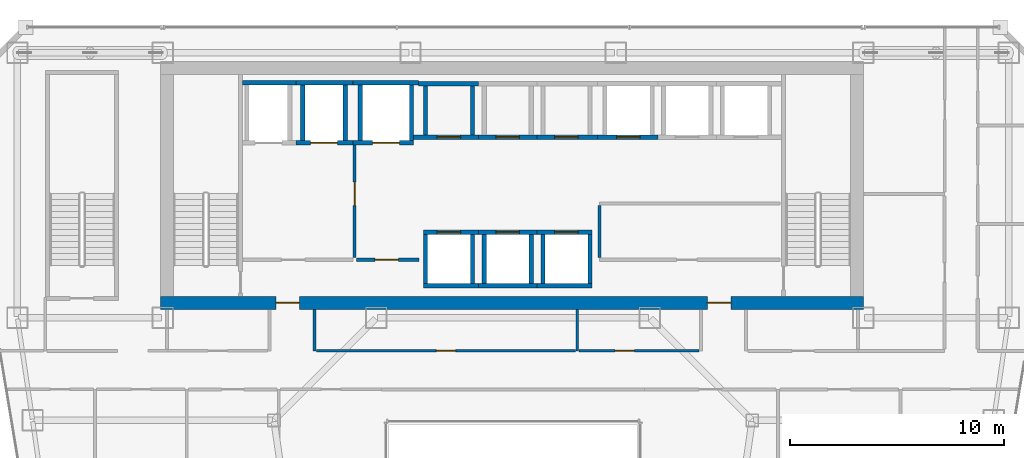
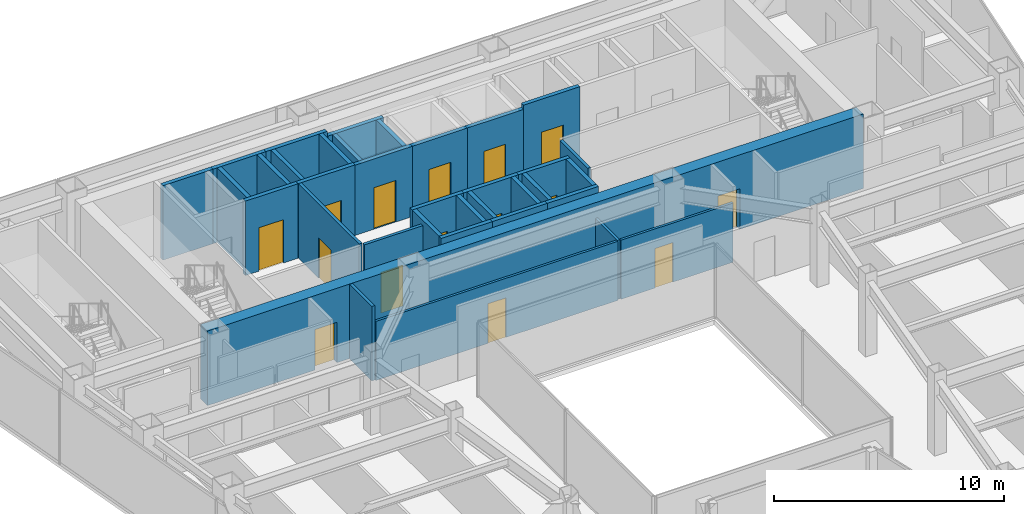
# One storey, part 31 of 36: 36 walls, 15 doors, 15 openings.
"""IFC4 building model written with IfcOpenShell, lengths in metres."""

from ifc_helpers import new_model, si_unit, direction, frame, frame_2d, origin, place, context, subcontext, project, spatial, rectangle, extrude, material, layer, layer_set, type_object, element, fill, save


model = new_model("IFC4")

# Units and contexts
model_context = context("Model", 3, precision=1e-05, world=origin(), true_north=direction((0.0, 1.0)))
body_context = subcontext(model_context, "Body", "Model", "MODEL_VIEW")
ifc_project = project(units=[si_unit("LENGTHUNIT", "METRE"), si_unit("AREAUNIT", "SQUARE_METRE"), si_unit("VOLUMEUNIT", "CUBIC_METRE"), si_unit("PLANEANGLEUNIT", "RADIAN"), si_unit("MASSUNIT", "GRAM", prefix="KILO")], contexts=[model_context])

# Site, building, storey
site_placement = place(None, origin())
site = spatial("IfcSite", under=ifc_project, at=site_placement, CompositionType="ELEMENT")
building_placement = place(site_placement, origin())
building = spatial("IfcBuilding", under=site, at=building_placement, Name="Saevonmaru Cultural Tower", CompositionType="ELEMENT")
storey_placement = place(building_placement, frame((0.0, 0.0, 119.199951171875)))
storey = spatial("IfcBuildingStorey", under=building, at=storey_placement, Name="L25", CompositionType="ELEMENT", Elevation=119.199951171875)

# Wall, openings, doors
ifc_material_1 = material(Name="Concrete C60/75", Category="concrete")
ifc_layer_1 = layer(ifc_material_1, 0.60009765625, Name="Concrete C60/75")
ifc_layer_set_1 = layer_set([ifc_layer_1], Name="Concrete C60/75")
wall_type_1 = type_object("IfcWallType", Name="WL-CORE-600", PredefinedType="SHEAR", material=ifc_layer_set_1)
wall_1_placement = place(storey_placement, frame((13.5, 43.10009765625, 0.0), z_axis=(0.0, 0.0, 1.0), x_axis=(1.0, 0.0, 0.0)))
wall_1 = element("IfcWall", 1, at=wall_1_placement, inside=storey, type_object=wall_type_1, Name="L25 Tower RC core shear wall S", PredefinedType="SHEAR", context=body_context, shape_type="SweptSolid", body=[
    extrude(rectangle(XDim=32.89990234375, YDim=0.60009765625, at=frame_2d((16.449951171875, 0.0))), origin(), (0.0, 0.0, 1.0), 3.949951171875),
])
opening_1_placement = place(wall_1_placement, frame((5.39990234375, 0.0, 0.0)))
opening_1 = element("IfcOpeningElement", 2, at=opening_1_placement, cuts=wall_1, Name="Opening FD-2", PredefinedType="OPENING", context=body_context, shape_type="SweptSolid", body=[
    extrude(rectangle(XDim=1.10009765625, YDim=2.14990234375, at=frame_2d((0.550048828125, 1.074951171875))), frame((0.0, 0.31005859375, 0.0), z_axis=(0.0, -1.0, 0.0), x_axis=(1.0, 0.0, 0.0)), (0.0, 0.0, 1.0), 0.6201171875),
])
opening_2_placement = place(wall_1_placement, frame((25.60009765625, 0.0, 0.0)))
opening_2 = element("IfcOpeningElement", 3, at=opening_2_placement, cuts=wall_1, Name="Opening FD-2", PredefinedType="OPENING", context=body_context, shape_type="SweptSolid", body=[
    extrude(rectangle(XDim=1.10009765625, YDim=2.14990234375, at=frame_2d((0.550048828125, 1.074951171875))), frame((0.0, 0.31005859375, 0.0), z_axis=(0.0, -1.0, 0.0), x_axis=(1.0, 0.0, 0.0)), (0.0, 0.0, 1.0), 0.6201171875),
])
ifc_material_2 = material(Name="Satin Bronze Anodised Aluminium", Category="aluminium")
door_type_1 = type_object("IfcDoorType", Name="DR-FD60-1100", OperationType="SINGLE_SWING_LEFT", PredefinedType="DOOR", material=ifc_material_2)
door_1_placement = place(opening_1_placement, origin())
door_1 = element("IfcDoor", 4, at=door_1_placement, inside=storey, type_object=door_type_1, Name="L25 Core West Lobby Fire Door", OperationType="SINGLE_SWING_LEFT", OverallHeight=2.14990234375, OverallWidth=1.10009765625, PredefinedType="DOOR", context=body_context, shape_type="SweptSolid", body=[
    extrude(rectangle(XDim=1.10009765625, YDim=2.14990234375, at=frame_2d((0.550048828125, 1.074951171875))), frame((0.0, 0.02490234375, 0.0), z_axis=(0.0, -1.0, 0.0), x_axis=(1.0, 0.0, 0.0)), (0.0, 0.0, 1.0), 0.050048828125),
])
fill(opening_1, door_1)
door_2_placement = place(opening_2_placement, origin())
door_2 = element("IfcDoor", 5, at=door_2_placement, inside=storey, type_object=door_type_1, Name="L25 Core East Lobby Fire Door", OperationType="SINGLE_SWING_LEFT", OverallHeight=2.14990234375, OverallWidth=1.10009765625, PredefinedType="DOOR", context=body_context, shape_type="SweptSolid", body=[
    extrude(rectangle(XDim=1.10009765625, YDim=2.14990234375, at=frame_2d((0.550048828125, 1.074951171875))), frame((0.0, 0.02490234375, 0.0), z_axis=(0.0, -1.0, 0.0), x_axis=(1.0, 0.0, 0.0)), (0.0, 0.0, 1.0), 0.050048828125),
])
fill(opening_2, door_2)

# Wall, opening, door
ifc_material_3 = material(Name="Gypsum Fireboard Partition", Category="gypsum")
ifc_layer_2 = layer(ifc_material_3, 0.14990234375, Name="Gypsum Fireboard Partition")
ifc_layer_set_2 = layer_set([ifc_layer_2], Name="Gypsum Fireboard Partition")
wall_type_2 = type_object("IfcWallType", Name="WL-CORE-PART-150", PredefinedType="PARTITIONING", material=ifc_layer_set_2)
wall_2_placement = place(storey_placement, frame((22.580078125, 50.550048828125, 0.0), z_axis=(0.0, 0.0, 1.0), x_axis=(0.0, -1.0, 0.0)))
wall_2 = element("IfcWall", 6, at=wall_2_placement, inside=storey, type_object=wall_type_2, Name="L25 Firefighting Lift Lobby East Wall", PredefinedType="PARTITIONING", context=body_context, shape_type="SweptSolid", body=[
    extrude(rectangle(XDim=5.330078125, YDim=0.14990234375, at=frame_2d((2.6650390625, 0.0))), origin(), (0.0, 0.0, 1.0), 3.949951171875),
])
opening_3_placement = place(wall_2_placement, frame((1.800048828125, 0.0, 0.0)))
opening_3 = element("IfcOpeningElement", 7, at=opening_3_placement, cuts=wall_2, Name="Opening FD-2", PredefinedType="OPENING", context=body_context, shape_type="SweptSolid", body=[
    extrude(rectangle(XDim=1.10009765625, YDim=2.14990234375, at=frame_2d((0.550048828125, 1.074951171875))), frame((0.0, 0.0849609375, 0.0), z_axis=(0.0, -1.0, 0.0), x_axis=(1.0, 0.0, 0.0)), (0.0, 0.0, 1.0), 0.169921875),
])
door_3_placement = place(opening_3_placement, origin())
door_3 = element("IfcDoor", 8, at=door_3_placement, inside=storey, type_object=door_type_1, Name="L25 Firefighting Lift Lobby East Door", OperationType="SINGLE_SWING_LEFT", OverallHeight=2.14990234375, OverallWidth=1.10009765625, PredefinedType="DOOR", context=body_context, shape_type="SweptSolid", body=[
    extrude(rectangle(XDim=1.10009765625, YDim=2.14990234375, at=frame_2d((0.550048828125, 1.074951171875))), frame((0.0, 0.02490234375, 0.0), z_axis=(0.0, -1.0, 0.0), x_axis=(1.0, 0.0, 0.0)), (0.0, 0.0, 1.0), 0.050048828125),
])
fill(opening_3, door_3)

wall_3_placement = place(storey_placement, frame((22.679931640625, 45.1201171875, 0.0), z_axis=(0.0, 0.0, 1.0), x_axis=(1.0, 0.0, 0.0)))
wall_3 = element("IfcWall", 9, at=wall_3_placement, inside=storey, type_object=wall_type_2, Name="L25 Service Lift Vestibule Wall", PredefinedType="PARTITIONING", context=body_context, shape_type="SweptSolid", body=[
    extrude(rectangle(XDim=2.920166015625, YDim=0.14990234375, at=frame_2d((1.4599609375, 0.0))), origin(), (0.0, 0.0, 1.0), 3.949951171875),
])
opening_4_placement = place(wall_3_placement, frame((0.85009765625, 0.0, 0.0)))
opening_4 = element("IfcOpeningElement", 10, at=opening_4_placement, cuts=wall_3, Name="Opening FD-2", PredefinedType="OPENING", context=body_context, shape_type="SweptSolid", body=[
    extrude(rectangle(XDim=1.10009765625, YDim=2.14990234375, at=frame_2d((0.550048828125, 1.074951171875))), frame((0.0, 0.0849609375, 0.0), z_axis=(0.0, -1.0, 0.0), x_axis=(1.0, 0.0, 0.0)), (0.0, 0.0, 1.0), 0.169921875),
])
door_4_placement = place(opening_4_placement, origin())
door_4 = element("IfcDoor", 11, at=door_4_placement, inside=storey, type_object=door_type_1, Name="L25 Service Lift Vestibule Door", OperationType="SINGLE_SWING_LEFT", OverallHeight=2.14990234375, OverallWidth=1.10009765625, PredefinedType="DOOR", context=body_context, shape_type="SweptSolid", body=[
    extrude(rectangle(XDim=1.10009765625, YDim=2.14990234375, at=frame_2d((0.550048828125, 1.074951171875))), frame((0.0, 0.02490234375, 0.0), z_axis=(0.0, -1.0, 0.0), x_axis=(1.0, 0.0, 0.0)), (0.0, 0.0, 1.0), 0.050048828125),
])
fill(opening_4, door_4)

# Walls
wall_4_placement = place(storey_placement, frame((34.050048828125, 45.219970703125, 0.0), z_axis=(0.0, 0.0, 1.0), x_axis=(0.0, 1.0, 0.0)))
element("IfcWall", 12, at=wall_4_placement, inside=storey, type_object=wall_type_2, Name="L25 Core Service West Wall", PredefinedType="PARTITIONING", context=body_context, shape_type="SweptSolid", body=[
    extrude(rectangle(XDim=2.429931640625, YDim=0.14990234375, at=frame_2d((1.21484375, 0.0))), origin(), (0.0, 0.0, 1.0), 3.949951171875),
])
ifc_layer_3 = layer(ifc_material_3, 0.14990234375, Name="Gypsum Fireboard Partition")
ifc_layer_set_3 = layer_set([ifc_layer_3], Name="Gypsum Fireboard Partition")
wall_type_3 = type_object("IfcWallType", Name="WL-PART-FIRE-150", PredefinedType="PARTITIONING", material=ifc_layer_set_3)
wall_5_placement = place(storey_placement, frame((20.699951171875, 40.85009765625, 0.0), z_axis=(0.0, 0.0, 1.0), x_axis=(0.0, 1.0, 0.0)))
element("IfcWall", 13, at=wall_5_placement, inside=storey, type_object=wall_type_3, Name="L25 Core Portal Side Wall W2", PredefinedType="PARTITIONING", context=body_context, shape_type="SweptSolid", body=[
    extrude(rectangle(XDim=1.929931640625, YDim=0.14990234375, at=frame_2d((0.96484375, 0.0))), origin(), (0.0, 0.0, 1.0), 3.949951171875),
])
ifc_layer_4 = layer(ifc_material_3, 0.1201171875, Name="Gypsum Fireboard Partition")
ifc_layer_set_4 = layer_set([ifc_layer_4], Name="Gypsum Fireboard Partition")
wall_type_4 = type_object("IfcWallType", Name="WL-PART-GYP-120", PredefinedType="PARTITIONING", material=ifc_layer_set_4)
wall_6_placement = place(storey_placement, frame((33.0, 40.85009765625, 0.0), z_axis=(0.0, 0.0, 1.0), x_axis=(0.0, 1.0, 0.0)))
element("IfcWall", 14, at=wall_6_placement, inside=storey, type_object=wall_type_4, Name="L25 Spine Alcove Split", PredefinedType="PARTITIONING", context=body_context, shape_type="SweptSolid", body=[
    extrude(rectangle(XDim=1.929931640625, YDim=0.1201171875, at=frame_2d((0.96484375, 0.0))), origin(), (0.0, 0.0, 1.0), 3.135009765625),
])

# Wall, opening, door
wall_7_placement = place(storey_placement, frame((20.794921875, 40.85009765625, 0.0), z_axis=(0.0, 0.0, 1.0), x_axis=(1.0, 0.0, 0.0)))
wall_7 = element("IfcWall", 15, at=wall_7_placement, inside=storey, type_object=wall_type_4, Name="L25 Visiting Fellows Office Corridor Wall", PredefinedType="PARTITIONING", context=body_context, shape_type="SweptSolid", body=[
    extrude(rectangle(XDim=12.125, YDim=0.1201171875, at=frame_2d((6.0625, 0.0))), origin(), (0.0, 0.0, 1.0), 3.135009765625),
])
opening_5_placement = place(wall_7_placement, frame((5.612060546875, 0.0, 0.0)))
opening_5 = element("IfcOpeningElement", 16, at=opening_5_placement, cuts=wall_7, Name="Opening ID-2", PredefinedType="OPENING", context=body_context, shape_type="SweptSolid", body=[
    extrude(rectangle(XDim=0.89990234375, YDim=2.10009765625, at=frame_2d((0.449951171875, 1.050048828125))), frame((0.0, 0.070068359375, 0.0), z_axis=(0.0, -1.0, 0.0), x_axis=(1.0, 0.0, 0.0)), (0.0, 0.0, 1.0), 0.14013671875),
])
ifc_material_4 = material(Name="Acoustic Stained Oak Timber", Category="wood")
door_type_2 = type_object("IfcDoorType", Name="DR-INT-900", OperationType="SINGLE_SWING_RIGHT", PredefinedType="DOOR", material=ifc_material_4)
door_5_placement = place(opening_5_placement, origin())
door_5 = element("IfcDoor", 17, at=door_5_placement, inside=storey, type_object=door_type_2, Name="L25 Visiting Fellows Office Door", OperationType="SINGLE_SWING_RIGHT", OverallHeight=2.10009765625, OverallWidth=0.89990234375, PredefinedType="DOOR", context=body_context, shape_type="SweptSolid", body=[
    extrude(rectangle(XDim=0.89990234375, YDim=2.10009765625, at=frame_2d((0.449951171875, 1.050048828125))), frame((0.0, 0.02490234375, 0.0), z_axis=(0.0, -1.0, 0.0), x_axis=(1.0, 0.0, 0.0)), (0.0, 0.0, 1.0), 0.050048828125),
])
fill(opening_5, door_5)

wall_8_placement = place(storey_placement, frame((33.080078125, 40.85009765625, 0.0), z_axis=(0.0, 0.0, 1.0), x_axis=(1.0, 0.0, 0.0)))
wall_8 = element("IfcWall", 18, at=wall_8_placement, inside=storey, type_object=wall_type_4, Name="L25 Digital Media Classroom Corridor Wall", PredefinedType="PARTITIONING", context=body_context, shape_type="SweptSolid", body=[
    extrude(rectangle(XDim=5.625, YDim=0.1201171875, at=frame_2d((2.8125, 0.0))), origin(), (0.0, 0.0, 1.0), 3.135009765625),
])
opening_6_placement = place(wall_8_placement, frame((1.701904296875, 0.0, 0.0)))
opening_6 = element("IfcOpeningElement", 19, at=opening_6_placement, cuts=wall_8, Name="Opening ID-2", PredefinedType="OPENING", context=body_context, shape_type="SweptSolid", body=[
    extrude(rectangle(XDim=0.89990234375, YDim=2.10009765625, at=frame_2d((0.449951171875, 1.050048828125))), frame((0.0, 0.070068359375, 0.0), z_axis=(0.0, -1.0, 0.0), x_axis=(1.0, 0.0, 0.0)), (0.0, 0.0, 1.0), 0.14013671875),
])
door_6_placement = place(opening_6_placement, origin())
door_6 = element("IfcDoor", 20, at=door_6_placement, inside=storey, type_object=door_type_2, Name="L25 Digital Media Classroom Door", OperationType="SINGLE_SWING_LEFT", OverallHeight=2.10009765625, OverallWidth=0.89990234375, PredefinedType="DOOR", context=body_context, shape_type="SweptSolid", body=[
    extrude(rectangle(XDim=0.89990234375, YDim=2.10009765625, at=frame_2d((0.449951171875, 1.050048828125))), frame((0.0, 0.02490234375, 0.0), z_axis=(0.0, -1.0, 0.0), x_axis=(1.0, 0.0, 0.0)), (0.0, 0.0, 1.0), 0.050048828125),
])
fill(opening_6, door_6)

# Wall
ifc_material_5 = material(Name="Concrete C40/50", Category="concrete")
ifc_layer_5 = layer(ifc_material_5, 0.199951171875, Name="Concrete C40/50")
ifc_layer_set_5 = layer_set([ifc_layer_5], Name="Concrete C40/50")
wall_type_5 = type_object("IfcWallType", Name="WL-SHAFT-200", PredefinedType="SHEAR", material=ifc_layer_set_5)
wall_9_placement = place(storey_placement, frame((17.330078125, 53.39990234375, 0.0), z_axis=(0.0, 0.0, 1.0), x_axis=(1.0, 0.0, 0.0)))
element("IfcWall", 21, at=wall_9_placement, inside=storey, type_object=wall_type_5, Name="L25 Lift FFL-1 Hoistway Wall N", PredefinedType="SHEAR", context=body_context, shape_type="SweptSolid", body=[
    extrude(rectangle(XDim=2.52001953125, YDim=0.199951171875, at=frame_2d((1.260009765625, 0.0))), origin(), (0.0, 0.0, 1.0), 3.949951171875),
])

# Wall, opening, door
wall_10_placement = place(storey_placement, frame((19.85009765625, 50.60009765625, 0.0), z_axis=(0.0, 0.0, 1.0), x_axis=(1.0, 0.0, 0.0)))
wall_10 = element("IfcWall", 22, at=wall_10_placement, inside=storey, type_object=wall_type_5, Name="L25 Lift FFL-2 Hoistway Wall S", PredefinedType="SHEAR", context=body_context, shape_type="SweptSolid", body=[
    extrude(rectangle(XDim=2.64990234375, YDim=0.199951171875, at=frame_2d((1.324951171875, 0.0))), origin(), (0.0, 0.0, 1.0), 3.949951171875),
])
opening_7_placement = place(wall_10_placement, frame((0.675048828125, 0.0, 0.0)))
opening_7 = element("IfcOpeningElement", 23, at=opening_7_placement, cuts=wall_10, Name="Opening LD-2", PredefinedType="OPENING", context=body_context, shape_type="SweptSolid", body=[
    extrude(rectangle(XDim=1.25, YDim=2.300048828125, at=frame_2d((0.625, 1.14990234375))), frame((0.0, 0.10986328125, 0.0), z_axis=(0.0, -1.0, 0.0), x_axis=(1.0, 0.0, 0.0)), (0.0, 0.0, 1.0), 0.219970703125),
])
ifc_material_6 = material(Name="Stainless Steel 316", Category="steel")
door_type_3 = type_object("IfcDoorType", Name="DR-LIFT-1250", OperationType="SLIDING_TO_LEFT", PredefinedType="DOOR", material=ifc_material_6)
door_7_placement = place(opening_7_placement, origin())
door_7 = element("IfcDoor", 24, at=door_7_placement, inside=storey, type_object=door_type_3, Name="L25 Lift FFL-2 Sliding Landing Door", OperationType="SLIDING_TO_LEFT", OverallHeight=2.300048828125, OverallWidth=1.25, PredefinedType="DOOR", context=body_context, shape_type="SweptSolid", body=[
    extrude(rectangle(XDim=1.25, YDim=2.300048828125, at=frame_2d((0.625, 1.14990234375))), frame((0.0, 0.02490234375, 0.0), z_axis=(0.0, -1.0, 0.0), x_axis=(1.0, 0.0, 0.0)), (0.0, 0.0, 1.0), 0.050048828125),
])
fill(opening_7, door_7)

# Walls
wall_11_placement = place(storey_placement, frame((19.85009765625, 53.39990234375, 0.0), z_axis=(0.0, 0.0, 1.0), x_axis=(1.0, 0.0, 0.0)))
element("IfcWall", 25, at=wall_11_placement, inside=storey, type_object=wall_type_5, Name="L25 Lift FFL-2 Hoistway Wall N", PredefinedType="SHEAR", context=body_context, shape_type="SweptSolid", body=[
    extrude(rectangle(XDim=2.64990234375, YDim=0.199951171875, at=frame_2d((1.324951171875, 0.0))), origin(), (0.0, 0.0, 1.0), 3.949951171875),
])
for number, where, z_axis, x_axis, name in (
    (26, (20.14990234375, 50.699951171875, 0.0), (0.0, 0.0, 1.0), (0.0, 1.0, 0.0), "L25 Lift FFL-2 Hoistway Wall W"),
    (27, (22.14990234375, 50.699951171875, 0.0), (0.0, 0.0, 1.0), (0.0, 1.0, 0.0), "L25 Lift FFL-2 Hoistway Wall E"),
):
    element("IfcWall", number, at=place(storey_placement, frame(where, z_axis=z_axis, x_axis=x_axis)), inside=storey, type_object=wall_type_5, Name=name, PredefinedType="SHEAR", context=body_context, shape_type="SweptSolid", body=[
        extrude(rectangle(XDim=2.60009765625, YDim=0.199951171875, at=frame_2d((1.300048828125, 0.0))), origin(), (0.0, 0.0, 1.0), 3.949951171875),
    ])

# Wall, opening, door
wall_12_placement = place(storey_placement, frame((22.5, 50.60009765625, 0.0), z_axis=(0.0, 0.0, 1.0), x_axis=(1.0, 0.0, 0.0)))
wall_12 = element("IfcWall", 28, at=wall_12_placement, inside=storey, type_object=wall_type_5, Name="L25 Lift GL-1 Hoistway Wall S", PredefinedType="SHEAR", context=body_context, shape_type="SweptSolid", body=[
    extrude(rectangle(XDim=2.85009765625, YDim=0.199951171875, at=frame_2d((1.425048828125, 0.0))), origin(), (0.0, 0.0, 1.0), 3.949951171875),
])
opening_8_placement = place(wall_12_placement, frame((0.925048828125, 0.0, 0.0)))
opening_8 = element("IfcOpeningElement", 29, at=opening_8_placement, cuts=wall_12, Name="Opening LD-2", PredefinedType="OPENING", context=body_context, shape_type="SweptSolid", body=[
    extrude(rectangle(XDim=1.25, YDim=2.300048828125, at=frame_2d((0.625, 1.14990234375))), frame((0.0, 0.10986328125, 0.0), z_axis=(0.0, -1.0, 0.0), x_axis=(1.0, 0.0, 0.0)), (0.0, 0.0, 1.0), 0.219970703125),
])
door_8_placement = place(opening_8_placement, origin())
door_8 = element("IfcDoor", 30, at=door_8_placement, inside=storey, type_object=door_type_3, Name="L25 Lift GL-1 Sliding Landing Door", OperationType="SLIDING_TO_LEFT", OverallHeight=2.300048828125, OverallWidth=1.25, PredefinedType="DOOR", context=body_context, shape_type="SweptSolid", body=[
    extrude(rectangle(XDim=1.25, YDim=2.300048828125, at=frame_2d((0.625, 1.14990234375))), frame((0.0, 0.02490234375, 0.0), z_axis=(0.0, -1.0, 0.0), x_axis=(1.0, 0.0, 0.0)), (0.0, 0.0, 1.0), 0.050048828125),
])
fill(opening_8, door_8)

# Walls
wall_13_placement = place(storey_placement, frame((22.5, 53.39990234375, 0.0), z_axis=(0.0, 0.0, 1.0), x_axis=(1.0, 0.0, 0.0)))
element("IfcWall", 31, at=wall_13_placement, inside=storey, type_object=wall_type_5, Name="L25 Lift GL-1 Hoistway Wall N", PredefinedType="SHEAR", context=body_context, shape_type="SweptSolid", body=[
    extrude(rectangle(XDim=3.074951171875, YDim=0.199951171875, at=frame_2d((1.53759765625, 0.0))), origin(), (0.0, 0.0, 1.0), 3.949951171875),
])
for number, where, z_axis, x_axis, name in (
    (32, (22.85009765625, 50.699951171875, 0.0), (0.0, 0.0, 1.0), (0.0, 1.0, 0.0), "L25 Lift GL-1 Hoistway Wall W"),
    (33, (25.25, 50.699951171875, 0.0), (0.0, 0.0, 1.0), (0.0, 1.0, 0.0), "L25 Lift GL-1 Hoistway Wall E"),
):
    element("IfcWall", number, at=place(storey_placement, frame(where, z_axis=z_axis, x_axis=x_axis)), inside=storey, type_object=wall_type_5, Name=name, PredefinedType="SHEAR", context=body_context, shape_type="SweptSolid", body=[
        extrude(rectangle(XDim=2.60009765625, YDim=0.199951171875, at=frame_2d((1.300048828125, 0.0))), origin(), (0.0, 0.0, 1.0), 3.949951171875),
    ])

# Wall, opening, door
wall_14_placement = place(storey_placement, frame((25.35009765625, 50.85009765625, 0.0), z_axis=(0.0, 0.0, 1.0), x_axis=(1.0, 0.0, 0.0)))
wall_14 = element("IfcWall", 34, at=wall_14_placement, inside=storey, type_object=wall_type_5, Name="L25 Lift PL-L1 Hoistway Wall S", PredefinedType="SHEAR", context=body_context, shape_type="SweptSolid", body=[
    extrude(rectangle(XDim=3.02490234375, YDim=0.199951171875, at=frame_2d((1.512451171875, 0.0))), origin(), (0.0, 0.0, 1.0), 3.72998046875),
])
opening_9_placement = place(wall_14_placement, frame((1.10009765625, 0.0, 0.0)))
opening_9 = element("IfcOpeningElement", 35, at=opening_9_placement, cuts=wall_14, Name="Opening LD-1", PredefinedType="OPENING", context=body_context, shape_type="SweptSolid", body=[
    extrude(rectangle(XDim=1.10009765625, YDim=2.199951171875, at=frame_2d((0.550048828125, 1.10009765625))), frame((0.0, 0.10986328125, 0.0), z_axis=(0.0, -1.0, 0.0), x_axis=(1.0, 0.0, 0.0)), (0.0, 0.0, 1.0), 0.219970703125),
])
ifc_material_7 = material(Name="Satin Bronze Stainless Steel", Category="steel")
door_type_4 = type_object("IfcDoorType", Name="DR-LIFT-1100", OperationType="SLIDING_TO_LEFT", PredefinedType="DOOR", material=ifc_material_7)
door_9_placement = place(opening_9_placement, origin())
door_9 = element("IfcDoor", 36, at=door_9_placement, inside=storey, type_object=door_type_4, Name="L25 Lift PL-L1 Sliding Landing Door", OperationType="SLIDING_TO_LEFT", OverallHeight=2.199951171875, OverallWidth=1.10009765625, PredefinedType="DOOR", context=body_context, shape_type="SweptSolid", body=[
    extrude(rectangle(XDim=1.10009765625, YDim=2.199951171875, at=frame_2d((0.550048828125, 1.10009765625))), frame((0.0, 0.02490234375, 0.0), z_axis=(0.0, -1.0, 0.0), x_axis=(1.0, 0.0, 0.0)), (0.0, 0.0, 1.0), 0.050048828125),
])
fill(opening_9, door_9)

# Walls
wall_15_placement = place(storey_placement, frame((25.574951171875, 53.35009765625, 0.0), z_axis=(0.0, 0.0, 1.0), x_axis=(1.0, 0.0, 0.0)))
element("IfcWall", 37, at=wall_15_placement, inside=storey, type_object=wall_type_5, Name="L25 Lift PL-L1 Hoistway Wall N", PredefinedType="SHEAR", context=body_context, shape_type="SweptSolid", body=[
    extrude(rectangle(XDim=2.800048828125, YDim=0.199951171875, at=frame_2d((1.39990234375, 0.0))), origin(), (0.0, 0.0, 1.0), 3.72998046875),
])
for number, where, z_axis, x_axis, name in (
    (38, (25.89990234375, 50.949951171875, 0.0), (0.0, 0.0, 1.0), (0.0, 1.0, 0.0), "L25 Lift PL-L1 Hoistway Wall W"),
    (39, (28.10009765625, 50.949951171875, 0.0), (0.0, 0.0, 1.0), (0.0, 1.0, 0.0), "L25 Lift PL-L1 Hoistway Wall E"),
):
    element("IfcWall", number, at=place(storey_placement, frame(where, z_axis=z_axis, x_axis=x_axis)), inside=storey, type_object=wall_type_5, Name=name, PredefinedType="SHEAR", context=body_context, shape_type="SweptSolid", body=[
        extrude(rectangle(XDim=2.300048828125, YDim=0.199951171875, at=frame_2d((1.14990234375, 0.0))), origin(), (0.0, 0.0, 1.0), 3.72998046875),
    ])

# Wall, opening, door
wall_16_placement = place(storey_placement, frame((28.375, 50.85009765625, 0.0), z_axis=(0.0, 0.0, 1.0), x_axis=(1.0, 0.0, 0.0)))
wall_16 = element("IfcWall", 40, at=wall_16_placement, inside=storey, type_object=wall_type_5, Name="L25 Lift PL-L2 Hoistway Wall S", PredefinedType="SHEAR", context=body_context, shape_type="SweptSolid", body=[
    extrude(rectangle(XDim=2.75, YDim=0.199951171875, at=frame_2d((1.375, 0.0))), origin(), (0.0, 0.0, 1.0), 3.72998046875),
])
opening_10_placement = place(wall_16_placement, frame((0.824951171875, 0.0, 0.0)))
opening_10 = element("IfcOpeningElement", 41, at=opening_10_placement, cuts=wall_16, Name="Opening LD-1", PredefinedType="OPENING", context=body_context, shape_type="SweptSolid", body=[
    extrude(rectangle(XDim=1.10009765625, YDim=2.199951171875, at=frame_2d((0.550048828125, 1.10009765625))), frame((0.0, 0.10986328125, 0.0), z_axis=(0.0, -1.0, 0.0), x_axis=(1.0, 0.0, 0.0)), (0.0, 0.0, 1.0), 0.219970703125),
])
door_10_placement = place(opening_10_placement, origin())
door_10 = element("IfcDoor", 42, at=door_10_placement, inside=storey, type_object=door_type_4, Name="L25 Lift PL-L2 Sliding Landing Door", OperationType="SLIDING_TO_LEFT", OverallHeight=2.199951171875, OverallWidth=1.10009765625, PredefinedType="DOOR", context=body_context, shape_type="SweptSolid", body=[
    extrude(rectangle(XDim=1.10009765625, YDim=2.199951171875, at=frame_2d((0.550048828125, 1.10009765625))), frame((0.0, 0.02490234375, 0.0), z_axis=(0.0, -1.0, 0.0), x_axis=(1.0, 0.0, 0.0)), (0.0, 0.0, 1.0), 0.050048828125),
])
fill(opening_10, door_10)

wall_17_placement = place(storey_placement, frame((31.125, 50.85009765625, 0.0), z_axis=(0.0, 0.0, 1.0), x_axis=(1.0, 0.0, 0.0)))
wall_17 = element("IfcWall", 43, at=wall_17_placement, inside=storey, type_object=wall_type_5, Name="L25 Lift PL-L3 Hoistway Wall S", PredefinedType="SHEAR", context=body_context, shape_type="SweptSolid", body=[
    extrude(rectangle(XDim=2.824951171875, YDim=0.199951171875, at=frame_2d((1.41259765625, 0.0))), origin(), (0.0, 0.0, 1.0), 3.72998046875),
])
opening_11_placement = place(wall_17_placement, frame((0.824951171875, 0.0, 0.0)))
opening_11 = element("IfcOpeningElement", 44, at=opening_11_placement, cuts=wall_17, Name="Opening LD-1", PredefinedType="OPENING", context=body_context, shape_type="SweptSolid", body=[
    extrude(rectangle(XDim=1.10009765625, YDim=2.199951171875, at=frame_2d((0.550048828125, 1.10009765625))), frame((0.0, 0.10986328125, 0.0), z_axis=(0.0, -1.0, 0.0), x_axis=(1.0, 0.0, 0.0)), (0.0, 0.0, 1.0), 0.219970703125),
])
door_11_placement = place(opening_11_placement, origin())
door_11 = element("IfcDoor", 45, at=door_11_placement, inside=storey, type_object=door_type_4, Name="L25 Lift PL-L3 Sliding Landing Door", OperationType="SLIDING_TO_LEFT", OverallHeight=2.199951171875, OverallWidth=1.10009765625, PredefinedType="DOOR", context=body_context, shape_type="SweptSolid", body=[
    extrude(rectangle(XDim=1.10009765625, YDim=2.199951171875, at=frame_2d((0.550048828125, 1.10009765625))), frame((0.0, 0.02490234375, 0.0), z_axis=(0.0, -1.0, 0.0), x_axis=(1.0, 0.0, 0.0)), (0.0, 0.0, 1.0), 0.050048828125),
])
fill(opening_11, door_11)

# Wall
wall_18_placement = place(storey_placement, frame((25.800048828125, 43.89990234375, 0.0), z_axis=(0.0, 0.0, 1.0), x_axis=(1.0, 0.0, 0.0)))
element("IfcWall", 46, at=wall_18_placement, inside=storey, type_object=wall_type_5, Name="L25 Lift PL-M1 Hoistway Wall S", PredefinedType="SHEAR", context=body_context, shape_type="SweptSolid", body=[
    extrude(rectangle(XDim=2.574951171875, YDim=0.199951171875, at=frame_2d((1.28759765625, 0.0))), origin(), (0.0, 0.0, 1.0), 3.949951171875),
])

# Wall, opening, door
wall_19_placement = place(storey_placement, frame((25.800048828125, 46.39990234375, 0.0), z_axis=(0.0, 0.0, 1.0), x_axis=(1.0, 0.0, 0.0)))
wall_19 = element("IfcWall", 47, at=wall_19_placement, inside=storey, type_object=wall_type_5, Name="L25 Lift PL-M1 Hoistway Wall N", PredefinedType="SHEAR", context=body_context, shape_type="SweptSolid", body=[
    extrude(rectangle(XDim=2.574951171875, YDim=0.199951171875, at=frame_2d((1.28759765625, 0.0))), origin(), (0.0, 0.0, 1.0), 3.949951171875),
])
opening_12_placement = place(wall_19_placement, frame((0.64990234375, 0.0, 0.0)))
opening_12 = element("IfcOpeningElement", 48, at=opening_12_placement, cuts=wall_19, Name="Opening LD-1", PredefinedType="OPENING", context=body_context, shape_type="SweptSolid", body=[
    extrude(rectangle(XDim=1.10009765625, YDim=2.199951171875, at=frame_2d((0.550048828125, 1.10009765625))), frame((0.0, 0.10986328125, 0.0), z_axis=(0.0, -1.0, 0.0), x_axis=(1.0, 0.0, 0.0)), (0.0, 0.0, 1.0), 0.219970703125),
])
door_12_placement = place(opening_12_placement, origin())
door_12 = element("IfcDoor", 49, at=door_12_placement, inside=storey, type_object=door_type_4, Name="L25 Lift PL-M1 Sliding Landing Door", OperationType="SLIDING_TO_LEFT", OverallHeight=2.199951171875, OverallWidth=1.10009765625, PredefinedType="DOOR", context=body_context, shape_type="SweptSolid", body=[
    extrude(rectangle(XDim=1.10009765625, YDim=2.199951171875, at=frame_2d((0.550048828125, 1.10009765625))), frame((0.0, 0.02490234375, 0.0), z_axis=(0.0, -1.0, 0.0), x_axis=(1.0, 0.0, 0.0)), (0.0, 0.0, 1.0), 0.050048828125),
])
fill(opening_12, door_12)

# Walls
for number, where, z_axis, x_axis, name in (
    (50, (25.89990234375, 44.0, 0.0), (0.0, 0.0, 1.0), (0.0, 1.0, 0.0), "L25 Lift PL-M1 Hoistway Wall W"),
    (51, (28.10009765625, 44.0, 0.0), (0.0, 0.0, 1.0), (0.0, 1.0, 0.0), "L25 Lift PL-M1 Hoistway Wall E"),
):
    element("IfcWall", number, at=place(storey_placement, frame(where, z_axis=z_axis, x_axis=x_axis)), inside=storey, type_object=wall_type_5, Name=name, PredefinedType="SHEAR", context=body_context, shape_type="SweptSolid", body=[
        extrude(rectangle(XDim=2.300048828125, YDim=0.199951171875, at=frame_2d((1.14990234375, 0.0))), origin(), (0.0, 0.0, 1.0), 3.949951171875),
    ])
wall_20_placement = place(storey_placement, frame((28.375, 43.89990234375, 0.0), z_axis=(0.0, 0.0, 1.0), x_axis=(1.0, 0.0, 0.0)))
element("IfcWall", 52, at=wall_20_placement, inside=storey, type_object=wall_type_5, Name="L25 Lift PL-M2 Hoistway Wall S", PredefinedType="SHEAR", context=body_context, shape_type="SweptSolid", body=[
    extrude(rectangle(XDim=2.75, YDim=0.199951171875, at=frame_2d((1.375, 0.0))), origin(), (0.0, 0.0, 1.0), 3.949951171875),
])

# Wall, opening, door
wall_21_placement = place(storey_placement, frame((28.375, 46.39990234375, 0.0), z_axis=(0.0, 0.0, 1.0), x_axis=(1.0, 0.0, 0.0)))
wall_21 = element("IfcWall", 53, at=wall_21_placement, inside=storey, type_object=wall_type_5, Name="L25 Lift PL-M2 Hoistway Wall N", PredefinedType="SHEAR", context=body_context, shape_type="SweptSolid", body=[
    extrude(rectangle(XDim=2.75, YDim=0.199951171875, at=frame_2d((1.375, 0.0))), origin(), (0.0, 0.0, 1.0), 3.949951171875),
])
opening_13_placement = place(wall_21_placement, frame((0.824951171875, 0.0, 0.0)))
opening_13 = element("IfcOpeningElement", 54, at=opening_13_placement, cuts=wall_21, Name="Opening LD-1", PredefinedType="OPENING", context=body_context, shape_type="SweptSolid", body=[
    extrude(rectangle(XDim=1.10009765625, YDim=2.199951171875, at=frame_2d((0.550048828125, 1.10009765625))), frame((0.0, 0.10986328125, 0.0), z_axis=(0.0, -1.0, 0.0), x_axis=(1.0, 0.0, 0.0)), (0.0, 0.0, 1.0), 0.219970703125),
])
door_13_placement = place(opening_13_placement, origin())
door_13 = element("IfcDoor", 55, at=door_13_placement, inside=storey, type_object=door_type_4, Name="L25 Lift PL-M2 Sliding Landing Door", OperationType="SLIDING_TO_LEFT", OverallHeight=2.199951171875, OverallWidth=1.10009765625, PredefinedType="DOOR", context=body_context, shape_type="SweptSolid", body=[
    extrude(rectangle(XDim=1.10009765625, YDim=2.199951171875, at=frame_2d((0.550048828125, 1.10009765625))), frame((0.0, 0.02490234375, 0.0), z_axis=(0.0, -1.0, 0.0), x_axis=(1.0, 0.0, 0.0)), (0.0, 0.0, 1.0), 0.050048828125),
])
fill(opening_13, door_13)

# Walls
for number, where, z_axis, x_axis, name in (
    (56, (28.64990234375, 44.0, 0.0), (0.0, 0.0, 1.0), (0.0, 1.0, 0.0), "L25 Lift PL-M2 Hoistway Wall W"),
    (57, (30.85009765625, 44.0, 0.0), (0.0, 0.0, 1.0), (0.0, 1.0, 0.0), "L25 Lift PL-M2 Hoistway Wall E"),
):
    element("IfcWall", number, at=place(storey_placement, frame(where, z_axis=z_axis, x_axis=x_axis)), inside=storey, type_object=wall_type_5, Name=name, PredefinedType="SHEAR", context=body_context, shape_type="SweptSolid", body=[
        extrude(rectangle(XDim=2.300048828125, YDim=0.199951171875, at=frame_2d((1.14990234375, 0.0))), origin(), (0.0, 0.0, 1.0), 3.949951171875),
    ])
wall_22_placement = place(storey_placement, frame((31.125, 43.89990234375, 0.0), z_axis=(0.0, 0.0, 1.0), x_axis=(1.0, 0.0, 0.0)))
element("IfcWall", 58, at=wall_22_placement, inside=storey, type_object=wall_type_5, Name="L25 Lift PL-M3 Hoistway Wall S", PredefinedType="SHEAR", context=body_context, shape_type="SweptSolid", body=[
    extrude(rectangle(XDim=2.574951171875, YDim=0.199951171875, at=frame_2d((1.28759765625, 0.0))), origin(), (0.0, 0.0, 1.0), 3.949951171875),
])

# Wall, opening, door
wall_23_placement = place(storey_placement, frame((31.125, 46.39990234375, 0.0), z_axis=(0.0, 0.0, 1.0), x_axis=(1.0, 0.0, 0.0)))
wall_23 = element("IfcWall", 59, at=wall_23_placement, inside=storey, type_object=wall_type_5, Name="L25 Lift PL-M3 Hoistway Wall N", PredefinedType="SHEAR", context=body_context, shape_type="SweptSolid", body=[
    extrude(rectangle(XDim=2.574951171875, YDim=0.199951171875, at=frame_2d((1.28759765625, 0.0))), origin(), (0.0, 0.0, 1.0), 3.949951171875),
])
opening_14_placement = place(wall_23_placement, frame((0.824951171875, 0.0, 0.0)))
opening_14 = element("IfcOpeningElement", 60, at=opening_14_placement, cuts=wall_23, Name="Opening LD-1", PredefinedType="OPENING", context=body_context, shape_type="SweptSolid", body=[
    extrude(rectangle(XDim=1.10009765625, YDim=2.199951171875, at=frame_2d((0.550048828125, 1.10009765625))), frame((0.0, 0.10986328125, 0.0), z_axis=(0.0, -1.0, 0.0), x_axis=(1.0, 0.0, 0.0)), (0.0, 0.0, 1.0), 0.219970703125),
])
door_14_placement = place(opening_14_placement, origin())
door_14 = element("IfcDoor", 61, at=door_14_placement, inside=storey, type_object=door_type_4, Name="L25 Lift PL-M3 Sliding Landing Door", OperationType="SLIDING_TO_LEFT", OverallHeight=2.199951171875, OverallWidth=1.10009765625, PredefinedType="DOOR", context=body_context, shape_type="SweptSolid", body=[
    extrude(rectangle(XDim=1.10009765625, YDim=2.199951171875, at=frame_2d((0.550048828125, 1.10009765625))), frame((0.0, 0.02490234375, 0.0), z_axis=(0.0, -1.0, 0.0), x_axis=(1.0, 0.0, 0.0)), (0.0, 0.0, 1.0), 0.050048828125),
])
fill(opening_14, door_14)

# Walls
for number, where, z_axis, x_axis, name in (
    (62, (31.39990234375, 44.0, 0.0), (0.0, 0.0, 1.0), (0.0, 1.0, 0.0), "L25 Lift PL-M3 Hoistway Wall W"),
    (63, (33.60009765625, 44.0, 0.0), (0.0, 0.0, 1.0), (0.0, 1.0, 0.0), "L25 Lift PL-M3 Hoistway Wall E"),
):
    element("IfcWall", number, at=place(storey_placement, frame(where, z_axis=z_axis, x_axis=x_axis)), inside=storey, type_object=wall_type_5, Name=name, PredefinedType="SHEAR", context=body_context, shape_type="SweptSolid", body=[
        extrude(rectangle(XDim=2.300048828125, YDim=0.199951171875, at=frame_2d((1.14990234375, 0.0))), origin(), (0.0, 0.0, 1.0), 3.949951171875),
    ])

# Wall, opening, door
wall_24_placement = place(storey_placement, frame((33.949951171875, 50.85009765625, 0.0), z_axis=(0.0, 0.0, 1.0), x_axis=(1.0, 0.0, 0.0)))
wall_24 = element("IfcWall", 64, at=wall_24_placement, inside=storey, type_object=wall_type_5, Name="L25 Lift PL-H1 Hoistway Wall S", PredefinedType="SHEAR", context=body_context, shape_type="SweptSolid", body=[
    extrude(rectangle(XDim=2.824951171875, YDim=0.199951171875, at=frame_2d((1.41259765625, 0.0))), origin(), (0.0, 0.0, 1.0), 3.949951171875),
])
opening_15_placement = place(wall_24_placement, frame((0.89990234375, 0.0, 0.0)))
opening_15 = element("IfcOpeningElement", 65, at=opening_15_placement, cuts=wall_24, Name="Opening LD-1", PredefinedType="OPENING", context=body_context, shape_type="SweptSolid", body=[
    extrude(rectangle(XDim=1.10009765625, YDim=2.199951171875, at=frame_2d((0.550048828125, 1.10009765625))), frame((0.0, 0.10986328125, 0.0), z_axis=(0.0, -1.0, 0.0), x_axis=(1.0, 0.0, 0.0)), (0.0, 0.0, 1.0), 0.219970703125),
])
door_15_placement = place(opening_15_placement, origin())
door_15 = element("IfcDoor", 66, at=door_15_placement, inside=storey, type_object=door_type_4, Name="L25 Lift PL-H1 Sliding Landing Door", OperationType="SLIDING_TO_LEFT", OverallHeight=2.199951171875, OverallWidth=1.10009765625, PredefinedType="DOOR", context=body_context, shape_type="SweptSolid", body=[
    extrude(rectangle(XDim=1.10009765625, YDim=2.199951171875, at=frame_2d((0.550048828125, 1.10009765625))), frame((0.0, 0.02490234375, 0.0), z_axis=(0.0, -1.0, 0.0), x_axis=(1.0, 0.0, 0.0)), (0.0, 0.0, 1.0), 0.050048828125),
])
fill(opening_15, door_15)

save(model, "model.ifc")
